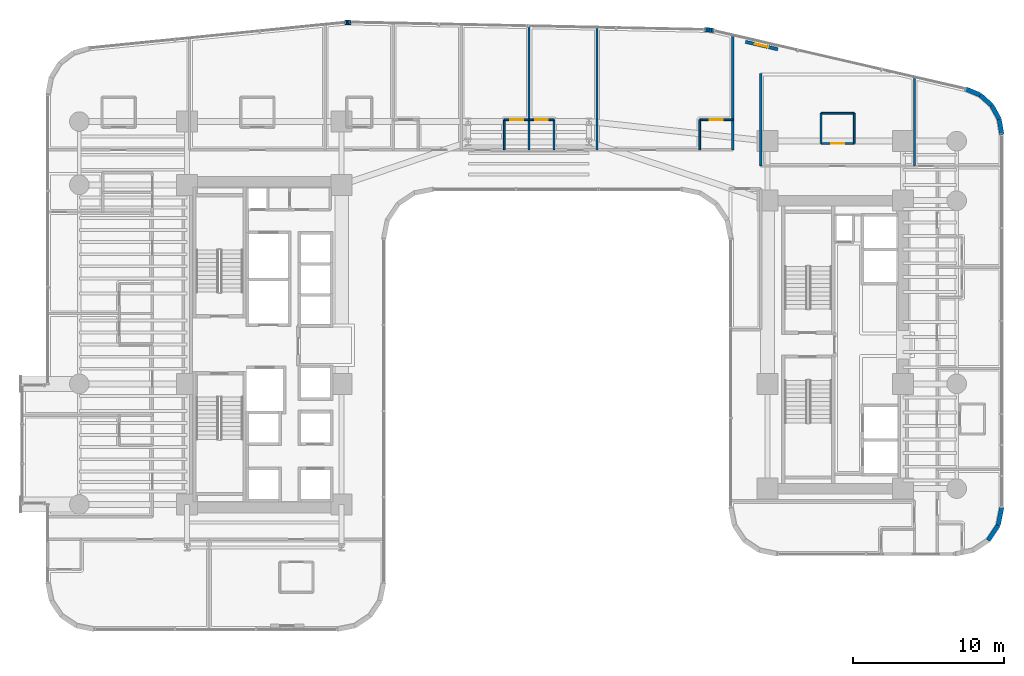
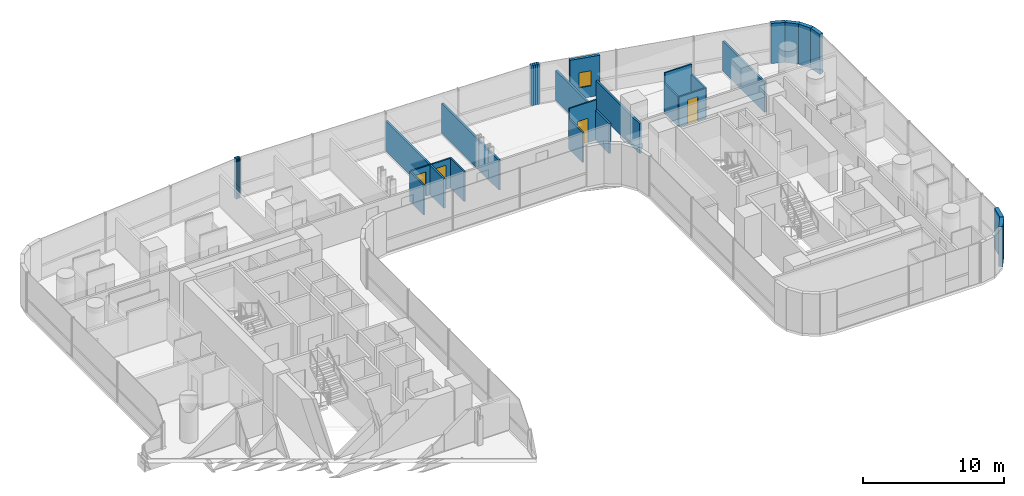
# One storey, part 35 of 42: 30 walls, 4 doors, 1 window, 5 openings.
"""IFC4 building model written with IfcOpenShell, lengths in metres."""

from ifc_helpers import new_model, si_unit, direction, frame, frame_2d, origin, place, context, subcontext, project, spatial, rectangle, extrude, material, layer, layer_set, type_object, element, fill, save


model = new_model("IFC4")

# Units and contexts
model_context = context("Model", 3, precision=1e-05, world=origin(), true_north=direction((0.0, 1.0)))
body_context = subcontext(model_context, "Body", "Model", "MODEL_VIEW")
ifc_project = project(units=[si_unit("LENGTHUNIT", "METRE"), si_unit("AREAUNIT", "SQUARE_METRE"), si_unit("VOLUMEUNIT", "CUBIC_METRE"), si_unit("PLANEANGLEUNIT", "RADIAN"), si_unit("MASSUNIT", "GRAM", prefix="KILO")], contexts=[model_context])

# Site, building, storey
site_placement = place(None, origin())
site = spatial("IfcSite", under=ifc_project, at=site_placement, CompositionType="ELEMENT")
building_placement = place(site_placement, origin())
building = spatial("IfcBuilding", under=site, at=building_placement, Name="Valdorenza Pilgrim Sanctuary Tower", CompositionType="ELEMENT")
storey_placement = place(building_placement, frame((0.0, 0.0, 29.699951171875)))
storey = spatial("IfcBuildingStorey", under=building, at=storey_placement, Name="L06", CompositionType="ELEMENT", Elevation=29.699951171875)

# Walls
ifc_material_1 = material(Name="Acoustic twin-stud gypsum partition", Category="gypsum")
ifc_layer_1 = layer(ifc_material_1, 0.159912109375, Name="Acoustic twin-stud gypsum partition")
ifc_layer_set_1 = layer_set([ifc_layer_1], Name="Acoustic twin-stud gypsum partition")
wall_type_1 = type_object("IfcWallType", Name="WAL-COR-160", PredefinedType="PARTITIONING", material=ifc_layer_set_1)
wall_1_placement = place(storey_placement, frame((13.550048828125, 12.919921875, 0.0), z_axis=(0.0, 0.0, 1.0), x_axis=(0.0, 1.0, 0.0)))
element("IfcWall", 1, at=wall_1_placement, inside=storey, type_object=wall_type_1, Name="L06 North Band East Closure", PredefinedType="PARTITIONING", context=body_context, shape_type="SweptSolid", body=[
    extrude(rectangle(XDim=7.609375, YDim=0.159912109375, at=frame_2d((3.8046875, 0.0))), origin(), (0.0, 0.0, 1.0), 2.5830078125),
])
wall_2_placement = place(storey_placement, frame((15.39990234375, 11.85009765625, 0.0), z_axis=(0.0, 0.0, 1.0), x_axis=(0.0, 1.0, 0.0)))
element("IfcWall", 2, at=wall_2_placement, inside=storey, type_object=wall_type_1, Name="L06 Wing B North West Wall", PredefinedType="PARTITIONING", context=body_context, shape_type="SweptSolid", body=[
    extrude(rectangle(XDim=6.14990234375, YDim=0.159912109375, at=frame_2d((3.074951171875, 0.0))), origin(), (0.0, 0.0, 1.0), 2.5830078125),
])
wall_3_placement = place(storey_placement, frame((25.60009765625, 11.85009765625, 0.0), z_axis=(0.0, 0.0, 1.0), x_axis=(0.0, 1.0, 0.0)))
element("IfcWall", 3, at=wall_3_placement, inside=storey, type_object=wall_type_1, Name="L06 Wing B North East Wall", PredefinedType="PARTITIONING", context=body_context, shape_type="SweptSolid", body=[
    extrude(rectangle(XDim=5.8984375, YDim=0.159912109375, at=frame_2d((2.94921875, 0.0))), origin(), (0.0, 0.0, 1.0), 2.5830078125),
])
ifc_material_2 = material(Name="Honed travertine limestone", Category="masonry")
ifc_layer_2 = layer(ifc_material_2, 0.300048828125, Name="Honed travertine limestone")
ifc_layer_set_2 = layer_set([ifc_layer_2], Name="Honed travertine limestone")
wall_type_2 = type_object("IfcWallType", Name="WAL-EXT-300", PredefinedType="SOLIDWALL", material=ifc_layer_set_2)
wall_4_placement = place(storey_placement, frame((-12.181884765625, 21.371337890625, 0.0), z_axis=(0.0, 0.0, 1.0), x_axis=(0.996527790842, 0.08326080759, 0.0)))
element("IfcWall", 4, at=wall_4_placement, inside=storey, type_object=wall_type_2, Name="L06 Rounded Wind-Corner Stone Pier 7", PredefinedType="SOLIDWALL", context=body_context, shape_type="SweptSolid", body=[
    extrude(rectangle(XDim=0.09375, YDim=0.300048828125, at=frame_2d((0.046875, 0.0))), origin(), (0.0, 0.0, 1.0), 3.4599609375),
])
wall_5_placement = place(storey_placement, frame((-12.08837890625, 21.379150390625, 0.0), z_axis=(0.0, 0.0, 1.0), x_axis=(0.998476480444, 0.055178963393, 0.0)))
element("IfcWall", 5, at=wall_5_placement, inside=storey, type_object=wall_type_2, Name="L06 Rounded Wind-Corner Stone Pier 8", PredefinedType="SOLIDWALL", context=body_context, shape_type="SweptSolid", body=[
    extrude(rectangle(XDim=0.093017578125, YDim=0.300048828125, at=frame_2d((0.04638671875, 0.0))), origin(), (0.0, 0.0, 1.0), 3.4599609375),
])
wall_6_placement = place(storey_placement, frame((-11.99560546875, 21.38427734375, 0.0), z_axis=(0.0, 0.0, 1.0), x_axis=(0.999722573757, 0.023553673204, 0.0)))
element("IfcWall", 6, at=wall_6_placement, inside=storey, type_object=wall_type_2, Name="L06 Rounded Wind-Corner Stone Pier 9", PredefinedType="SOLIDWALL", context=body_context, shape_type="SweptSolid", body=[
    extrude(rectangle(XDim=0.09326171875, YDim=0.300048828125, at=frame_2d((0.046630859375, 0.0))), origin(), (0.0, 0.0, 1.0), 3.4599609375),
])
wall_7_placement = place(storey_placement, frame((-11.90234375, 21.386474609375, 0.0), z_axis=(0.0, 0.0, 1.0), x_axis=(0.999986507273, -0.005194735103, 0.0)))
element("IfcWall", 7, at=wall_7_placement, inside=storey, type_object=wall_type_2, Name="L06 Rounded Wind-Corner Stone Pier 10", PredefinedType="SOLIDWALL", context=body_context, shape_type="SweptSolid", body=[
    extrude(rectangle(XDim=0.093994140625, YDim=0.300048828125, at=frame_2d((0.046875, 0.0))), origin(), (0.0, 0.0, 1.0), 3.4599609375),
])
wall_8_placement = place(storey_placement, frame((11.665771484375, 20.89697265625, 0.0), z_axis=(0.0, 0.0, 1.0), x_axis=(0.998885297239, -0.047203421059, 0.0)))
element("IfcWall", 8, at=wall_8_placement, inside=storey, type_object=wall_type_2, Name="L06 Rounded Wind-Corner Stone Pier 12", PredefinedType="SOLIDWALL", context=body_context, shape_type="SweptSolid", body=[
    extrude(rectangle(XDim=0.160400390625, YDim=0.300048828125, at=frame_2d((0.080078125, 0.0))), origin(), (0.0, 0.0, 1.0), 3.4599609375),
])
wall_9_placement = place(storey_placement, frame((11.825927734375, 20.889404296875, 0.0), z_axis=(0.0, 0.0, 1.0), x_axis=(0.995172891136, -0.098137234257, 0.0)))
element("IfcWall", 9, at=wall_9_placement, inside=storey, type_object=wall_type_2, Name="L06 Rounded Wind-Corner Stone Pier 13", PredefinedType="SOLIDWALL", context=body_context, shape_type="SweptSolid", body=[
    extrude(rectangle(XDim=0.1591796875, YDim=0.300048828125, at=frame_2d((0.07958984375, 0.0))), origin(), (0.0, 0.0, 1.0), 3.4599609375),
])
wall_10_placement = place(storey_placement, frame((11.984375, 20.873779296875, 0.0), z_axis=(0.0, 0.0, 1.0), x_axis=(0.988846069207, -0.148941100486, 0.0)))
element("IfcWall", 10, at=wall_10_placement, inside=storey, type_object=wall_type_2, Name="L06 Rounded Wind-Corner Stone Pier 14", PredefinedType="SOLIDWALL", context=body_context, shape_type="SweptSolid", body=[
    extrude(rectangle(XDim=0.158935546875, YDim=0.300048828125, at=frame_2d((0.07958984375, 0.0))), origin(), (0.0, 0.0, 1.0), 3.4599609375),
])
wall_11_placement = place(storey_placement, frame((12.1416015625, 20.85009765625, 0.0), z_axis=(0.0, 0.0, 1.0), x_axis=(0.979991950448, -0.19903712482, 0.0)))
element("IfcWall", 11, at=wall_11_placement, inside=storey, type_object=wall_type_2, Name="L06 Rounded Wind-Corner Stone Pier 15", PredefinedType="SOLIDWALL", context=body_context, shape_type="SweptSolid", body=[
    extrude(rectangle(XDim=0.16064453125, YDim=0.300048828125, at=frame_2d((0.080322265625, 0.0))), origin(), (0.0, 0.0, 1.0), 3.4599609375),
])

# Wall, opening, window
wall_12_placement = place(storey_placement, frame((14.388671875, 20.089599609375, 0.0), z_axis=(0.0, 0.0, 1.0), x_axis=(0.974400545997, -0.224818984875, 0.0)))
wall_12 = element("IfcWall", 12, at=wall_12_placement, inside=storey, type_object=wall_type_2, Name="L06 Operable Ventilation Sash Jamb Pier", PredefinedType="SOLIDWALL", context=body_context, shape_type="SweptSolid", body=[
    extrude(rectangle(XDim=2.2001953125, YDim=0.219970703125, at=frame_2d((1.10009765625, 0.0))), origin(), (0.0, 0.0, 1.0), 3.4599609375),
])
opening_1_placement = place(wall_12_placement, frame((0.64990234375, 0.0, 0.949951171875)))
opening_1 = element("IfcOpeningElement", 13, at=opening_1_placement, cuts=wall_12, Name="Opening WN-OP1", PredefinedType="OPENING", context=body_context, shape_type="SweptSolid", body=[
    extrude(rectangle(XDim=0.89990234375, YDim=1.300048828125, at=frame_2d((0.449951171875, 0.64990234375))), frame((0.0, 0.125, 0.0), z_axis=(0.0, -1.0, 0.0), x_axis=(1.0, 0.0, 0.0)), (0.0, 0.0, 1.0), 0.249755859375),
])
ifc_material_3 = material(Name="Ceramic-fritted low-E IGU glazing", Category="glass")
window_type = type_object("IfcWindowType", Name="WIN-OPN-900", PartitioningType="SINGLE_PANEL", PredefinedType="WINDOW", material=ifc_material_3)
window_placement = place(opening_1_placement, origin())
window = element("IfcWindow", 14, at=window_placement, inside=storey, type_object=window_type, Name="L06 Parallel-Pop-Out Operable Facade Panel", OverallHeight=1.300048828125, OverallWidth=0.89990234375, PartitioningType="SINGLE_PANEL", PredefinedType="WINDOW", context=body_context, shape_type="SweptSolid", body=[
    extrude(rectangle(XDim=0.89990234375, YDim=1.300048828125, at=frame_2d((0.449951171875, 0.64990234375))), frame((0.0, 0.030029296875, 0.0), z_axis=(0.0, -1.0, 0.0), x_axis=(1.0, 0.0, 0.0)), (0.0, 0.0, 1.0), 0.06005859375),
])
fill(opening_1, window)

# Walls
wall_13_placement = place(storey_placement, frame((28.98583984375, 16.96728515625, 0.0), z_axis=(0.0, 0.0, 1.0), x_axis=(0.923083852684, -0.384598753136, 0.0)))
element("IfcWall", 15, at=wall_13_placement, inside=storey, type_object=wall_type_2, Name="L06 Rounded Wind-Corner Stone Pier 17", PredefinedType="SOLIDWALL", context=body_context, shape_type="SweptSolid", body=[
    extrude(rectangle(XDim=1.042236328125, YDim=0.300048828125, at=frame_2d((0.52099609375, 0.0))), origin(), (0.0, 0.0, 1.0), 3.4599609375),
])
wall_14_placement = place(storey_placement, frame((29.947998046875, 16.56640625, 0.0), z_axis=(0.0, 0.0, 1.0), x_axis=(0.744585645533, -0.66752694063, 0.0)))
element("IfcWall", 16, at=wall_14_placement, inside=storey, type_object=wall_type_2, Name="L06 Rounded Wind-Corner Stone Pier 18", PredefinedType="SOLIDWALL", context=body_context, shape_type="SweptSolid", body=[
    extrude(rectangle(XDim=1.032958984375, YDim=0.300048828125, at=frame_2d((0.5166015625, 0.0))), origin(), (0.0, 0.0, 1.0), 3.4599609375),
])
wall_15_placement = place(storey_placement, frame((30.717041015625, 15.876953125, 0.0), z_axis=(0.0, 0.0, 1.0), x_axis=(0.482971098131, -0.875636293429, 0.0)))
element("IfcWall", 17, at=wall_15_placement, inside=storey, type_object=wall_type_2, Name="L06 Rounded Wind-Corner Stone Pier 19", PredefinedType="SOLIDWALL", context=body_context, shape_type="SweptSolid", body=[
    extrude(rectangle(XDim=1.03271484375, YDim=0.300048828125, at=frame_2d((0.516357421875, 0.0))), origin(), (0.0, 0.0, 1.0), 3.4599609375),
])
wall_16_placement = place(storey_placement, frame((31.2158203125, 14.97265625, 0.0), z_axis=(0.0, 0.0, 1.0), x_axis=(0.167019462117, -0.985953598946, 0.0)))
element("IfcWall", 18, at=wall_16_placement, inside=storey, type_object=wall_type_2, Name="L06 Rounded Wind-Corner Stone Pier 20", PredefinedType="SOLIDWALL", context=body_context, shape_type="SweptSolid", body=[
    extrude(rectangle(XDim=1.042236328125, YDim=0.300048828125, at=frame_2d((0.52099609375, 0.0))), origin(), (0.0, 0.0, 1.0), 3.4599609375),
])
wall_17_placement = place(storey_placement, frame((31.389892578125, -10.789306640625, 0.0), z_axis=(0.0, 0.0, 1.0), x_axis=(-0.194996050505, -0.980804027463, 0.0)))
element("IfcWall", 19, at=wall_17_placement, inside=storey, type_object=wall_type_2, Name="L06 Rounded Wind-Corner Stone Pier 22", PredefinedType="SOLIDWALL", context=body_context, shape_type="SweptSolid", body=[
    extrude(rectangle(XDim=1.2158203125, YDim=0.300048828125, at=frame_2d((0.60791015625, 0.0))), origin(), (0.0, 0.0, 1.0), 3.4599609375),
])
wall_18_placement = place(storey_placement, frame((31.15283203125, -11.981689453125, 0.0), z_axis=(0.0, 0.0, 1.0), x_axis=(-0.555635100982, -0.831426265255, 0.0)))
element("IfcWall", 20, at=wall_18_placement, inside=storey, type_object=wall_type_2, Name="L06 Rounded Wind-Corner Stone Pier 23", PredefinedType="SOLIDWALL", context=body_context, shape_type="SweptSolid", body=[
    extrude(rectangle(XDim=1.204833984375, YDim=0.300048828125, at=frame_2d((0.6025390625, 0.0))), origin(), (0.0, 0.0, 1.0), 3.4599609375),
])
ifc_material_4 = material(Name="Moisture-resistant gypsum partition", Category="gypsum")
ifc_layer_3 = layer(ifc_material_4, 0.1201171875, Name="Moisture-resistant gypsum partition")
ifc_layer_set_3 = layer_set([ifc_layer_3], Name="Moisture-resistant gypsum partition")
wall_type_3 = type_object("IfcWallType", Name="WAL-INT-120", PredefinedType="PARTITIONING", material=ifc_layer_set_3)
wall_19_placement = place(storey_placement, frame((-1.614990234375, 12.919921875, 0.0), z_axis=(0.0, 0.0, 1.0), x_axis=(0.0, 1.0, 0.0)))
element("IfcWall", 21, at=wall_19_placement, inside=storey, type_object=wall_type_3, Name="L06 North Guest Room L06-N4A En-suite West Wall", PredefinedType="PARTITIONING", context=body_context, shape_type="SweptSolid", body=[
    extrude(rectangle(XDim=2.0, YDim=0.1201171875, at=frame_2d((1.0, 0.0))), origin(), (0.0, 0.0, 1.0), 2.5830078125),
])

# Wall, opening, door
wall_20_placement = place(storey_placement, frame((-1.614990234375, 14.919921875, 0.0), z_axis=(0.0, 0.0, 1.0), x_axis=(1.0, 0.0, 0.0)))
wall_20 = element("IfcWall", 22, at=wall_20_placement, inside=storey, type_object=wall_type_3, Name="L06 North Guest Room L06-N4A En-suite Door Wall", PredefinedType="PARTITIONING", context=body_context, shape_type="SweptSolid", body=[
    extrude(rectangle(XDim=1.64990234375, YDim=0.1201171875, at=frame_2d((0.824951171875, 0.0))), origin(), (0.0, 0.0, 1.0), 2.5830078125),
])
opening_2_placement = place(wall_20_placement, frame((0.39990234375, 0.0, 0.0)))
opening_2 = element("IfcOpeningElement", 23, at=opening_2_placement, cuts=wall_20, Name="Opening DR-WC1", PredefinedType="OPENING", context=body_context, shape_type="SweptSolid", body=[
    extrude(rectangle(XDim=0.85009765625, YDim=2.10009765625, at=frame_2d((0.425048828125, 1.050048828125))), frame((0.0, 0.074951171875, 0.0), z_axis=(0.0, -1.0, 0.0), x_axis=(1.0, 0.0, 0.0)), (0.0, 0.0, 1.0), 0.14990234375),
])
ifc_material_5 = material(Name="Moisture-resistant lacquered timber", Category="wood")
door_type = type_object("IfcDoorType", Name="DR-BATH-850", OperationType="NOTDEFINED", PredefinedType="DOOR", material=ifc_material_5)
door_1_placement = place(opening_2_placement, origin())
door_1 = element("IfcDoor", 24, at=door_1_placement, inside=storey, type_object=door_type, Name="L06 North Guest Room L06-N4A En-suite Bathroom Door", OperationType="SINGLE_SWING_RIGHT", OverallHeight=2.10009765625, OverallWidth=0.85009765625, PredefinedType="DOOR", context=body_context, shape_type="SweptSolid", body=[
    extrude(rectangle(XDim=0.85009765625, YDim=2.10009765625, at=frame_2d((0.425048828125, 1.050048828125))), frame((0.0, 0.02490234375, 0.0), z_axis=(0.0, -1.0, 0.0), x_axis=(1.0, 0.0, 0.0)), (0.0, 0.0, 1.0), 0.050048828125),
])
fill(opening_2, door_1)

# Wall
wall_21_placement = place(storey_placement, frame((1.68505859375, 12.919921875, 0.0), z_axis=(0.0, 0.0, 1.0), x_axis=(0.0, 1.0, 0.0)))
element("IfcWall", 25, at=wall_21_placement, inside=storey, type_object=wall_type_3, Name="L06 North Guest Room L06-N4B En-suite East Wall", PredefinedType="PARTITIONING", context=body_context, shape_type="SweptSolid", body=[
    extrude(rectangle(XDim=2.0, YDim=0.1201171875, at=frame_2d((1.0, 0.0))), origin(), (0.0, 0.0, 1.0), 2.5830078125),
])

# Wall, opening, door
wall_22_placement = place(storey_placement, frame((0.034912109375, 14.919921875, 0.0), z_axis=(0.0, 0.0, 1.0), x_axis=(1.0, 0.0, 0.0)))
wall_22 = element("IfcWall", 26, at=wall_22_placement, inside=storey, type_object=wall_type_3, Name="L06 North Guest Room L06-N4B En-suite Door Wall", PredefinedType="PARTITIONING", context=body_context, shape_type="SweptSolid", body=[
    extrude(rectangle(XDim=1.650146484375, YDim=0.1201171875, at=frame_2d((0.8251953125, 0.0))), origin(), (0.0, 0.0, 1.0), 2.5830078125),
])
opening_3_placement = place(wall_22_placement, frame((0.39990234375, 0.0, 0.0)))
opening_3 = element("IfcOpeningElement", 27, at=opening_3_placement, cuts=wall_22, Name="Opening DR-WC1", PredefinedType="OPENING", context=body_context, shape_type="SweptSolid", body=[
    extrude(rectangle(XDim=0.85009765625, YDim=2.10009765625, at=frame_2d((0.425048828125, 1.050048828125))), frame((0.0, 0.074951171875, 0.0), z_axis=(0.0, -1.0, 0.0), x_axis=(1.0, 0.0, 0.0)), (0.0, 0.0, 1.0), 0.14990234375),
])
door_2_placement = place(opening_3_placement, origin())
door_2 = element("IfcDoor", 28, at=door_2_placement, inside=storey, type_object=door_type, Name="L06 North Guest Room L06-N4B En-suite Bathroom Door", OperationType="SINGLE_SWING_RIGHT", OverallHeight=2.10009765625, OverallWidth=0.85009765625, PredefinedType="DOOR", context=body_context, shape_type="SweptSolid", body=[
    extrude(rectangle(XDim=0.85009765625, YDim=2.10009765625, at=frame_2d((0.425048828125, 1.050048828125))), frame((0.0, 0.02490234375, 0.0), z_axis=(0.0, -1.0, 0.0), x_axis=(1.0, 0.0, 0.0)), (0.0, 0.0, 1.0), 0.050048828125),
])
fill(opening_3, door_2)

# Wall
wall_23_placement = place(storey_placement, frame((11.35009765625, 12.919921875, 0.0), z_axis=(0.0, 0.0, 1.0), x_axis=(0.0, 1.0, 0.0)))
element("IfcWall", 29, at=wall_23_placement, inside=storey, type_object=wall_type_3, Name="L06 North Guest Room L06-N5 En-suite West Wall", PredefinedType="PARTITIONING", context=body_context, shape_type="SweptSolid", body=[
    extrude(rectangle(XDim=2.0, YDim=0.1201171875, at=frame_2d((1.0, 0.0))), origin(), (0.0, 0.0, 1.0), 2.5830078125),
])

# Wall, opening, door
wall_24_placement = place(storey_placement, frame((11.35009765625, 14.919921875, 0.0), z_axis=(0.0, 0.0, 1.0), x_axis=(1.0, 0.0, 0.0)))
wall_24 = element("IfcWall", 30, at=wall_24_placement, inside=storey, type_object=wall_type_3, Name="L06 North Guest Room L06-N5 En-suite Door Wall", PredefinedType="PARTITIONING", context=body_context, shape_type="SweptSolid", body=[
    extrude(rectangle(XDim=2.199951171875, YDim=0.1201171875, at=frame_2d((1.10009765625, 0.0))), origin(), (0.0, 0.0, 1.0), 3.4599609375),
])
opening_4_placement = place(wall_24_placement, frame((0.675048828125, 0.0, 0.0)))
opening_4 = element("IfcOpeningElement", 31, at=opening_4_placement, cuts=wall_24, Name="Opening DR-WC1", PredefinedType="OPENING", context=body_context, shape_type="SweptSolid", body=[
    extrude(rectangle(XDim=0.85009765625, YDim=2.10009765625, at=frame_2d((0.425048828125, 1.050048828125))), frame((0.0, 0.074951171875, 0.0), z_axis=(0.0, -1.0, 0.0), x_axis=(1.0, 0.0, 0.0)), (0.0, 0.0, 1.0), 0.14990234375),
])
door_3_placement = place(opening_4_placement, origin())
door_3 = element("IfcDoor", 32, at=door_3_placement, inside=storey, type_object=door_type, Name="L06 North Guest Room L06-N5 En-suite Bathroom Door", OperationType="SINGLE_SWING_RIGHT", OverallHeight=2.10009765625, OverallWidth=0.85009765625, PredefinedType="DOOR", context=body_context, shape_type="SweptSolid", body=[
    extrude(rectangle(XDim=0.85009765625, YDim=2.10009765625, at=frame_2d((0.425048828125, 1.050048828125))), frame((0.0, 0.02490234375, 0.0), z_axis=(0.0, -1.0, 0.0), x_axis=(1.0, 0.0, 0.0)), (0.0, 0.0, 1.0), 0.050048828125),
])
fill(opening_4, door_3)

# Walls
for number, where, z_axis, x_axis, name in (
    (33, (19.39990234375, 13.35009765625, 0.0), (0.0, 0.0, 1.0), (0.0, 1.0, 0.0), "L06 East North Guest Room L06-EN1 En-suite West Wall"),
    (34, (21.60009765625, 13.35009765625, 0.0), (0.0, 0.0, 1.0), (0.0, 1.0, 0.0), "L06 East North Guest Room L06-EN1 En-suite East Wall"),
):
    element("IfcWall", number, at=place(storey_placement, frame(where, z_axis=z_axis, x_axis=x_axis)), inside=storey, type_object=wall_type_3, Name=name, PredefinedType="PARTITIONING", context=body_context, shape_type="SweptSolid", body=[
        extrude(rectangle(XDim=2.0, YDim=0.1201171875, at=frame_2d((1.0, 0.0))), origin(), (0.0, 0.0, 1.0), 2.5830078125),
    ])
wall_25_placement = place(storey_placement, frame((19.39990234375, 15.35009765625, 0.0), z_axis=(0.0, 0.0, 1.0), x_axis=(1.0, 0.0, 0.0)))
element("IfcWall", 35, at=wall_25_placement, inside=storey, type_object=wall_type_3, Name="L06 East North Guest Room L06-EN1 En-suite Back Wall", PredefinedType="PARTITIONING", context=body_context, shape_type="SweptSolid", body=[
    extrude(rectangle(XDim=2.2001953125, YDim=0.1201171875, at=frame_2d((1.10009765625, 0.0))), origin(), (0.0, 0.0, 1.0), 3.4599609375),
])

# Wall, opening, door
wall_26_placement = place(storey_placement, frame((19.39990234375, 13.35009765625, 0.0), z_axis=(0.0, 0.0, 1.0), x_axis=(1.0, 0.0, 0.0)))
wall_26 = element("IfcWall", 36, at=wall_26_placement, inside=storey, type_object=wall_type_3, Name="L06 East North Guest Room L06-EN1 En-suite Door Wall", PredefinedType="PARTITIONING", context=body_context, shape_type="SweptSolid", body=[
    extrude(rectangle(XDim=2.2001953125, YDim=0.1201171875, at=frame_2d((1.10009765625, 0.0))), origin(), (0.0, 0.0, 1.0), 2.5830078125),
])
opening_5_placement = place(wall_26_placement, frame((0.675048828125, 0.0, 0.0)))
opening_5 = element("IfcOpeningElement", 37, at=opening_5_placement, cuts=wall_26, Name="Opening DR-WC1", PredefinedType="OPENING", context=body_context, shape_type="SweptSolid", body=[
    extrude(rectangle(XDim=0.85009765625, YDim=2.10009765625, at=frame_2d((0.425048828125, 1.050048828125))), frame((0.0, 0.074951171875, 0.0), z_axis=(0.0, -1.0, 0.0), x_axis=(1.0, 0.0, 0.0)), (0.0, 0.0, 1.0), 0.14990234375),
])
door_4_placement = place(opening_5_placement, origin())
door_4 = element("IfcDoor", 38, at=door_4_placement, inside=storey, type_object=door_type, Name="L06 East North Guest Room L06-EN1 En-suite Bathroom Door", OperationType="SINGLE_SWING_RIGHT", OverallHeight=2.10009765625, OverallWidth=0.85009765625, PredefinedType="DOOR", context=body_context, shape_type="SweptSolid", body=[
    extrude(rectangle(XDim=0.85009765625, YDim=2.10009765625, at=frame_2d((0.425048828125, 1.050048828125))), frame((0.0, 0.02490234375, 0.0), z_axis=(0.0, -1.0, 0.0), x_axis=(1.0, 0.0, 0.0)), (0.0, 0.0, 1.0), 0.050048828125),
])
fill(opening_5, door_4)

# Walls
ifc_layer_4 = layer(ifc_material_1, 0.14990234375, Name="Acoustic twin-stud gypsum partition")
ifc_layer_set_4 = layer_set([ifc_layer_4], Name="Acoustic twin-stud gypsum partition")
wall_type_4 = type_object("IfcWallType", Name="WAL-UNT-150", PredefinedType="PARTITIONING", material=ifc_layer_set_4)
wall_27_placement = place(storey_placement, frame((4.5400390625, 12.919921875, 0.0), z_axis=(0.0, 0.0, 1.0), x_axis=(0.0, 1.0, 0.0)))
element("IfcWall", 39, at=wall_27_placement, inside=storey, type_object=wall_type_4, Name="L06 North Demising 4", PredefinedType="PARTITIONING", context=body_context, shape_type="SweptSolid", body=[
    extrude(rectangle(XDim=8.12548828125, YDim=0.14990234375, at=frame_2d((4.062744140625, 0.0))), origin(), (0.0, 0.0, 1.0), 2.5830078125),
])
wall_28_placement = place(storey_placement, frame((0.034912109375, 12.919921875, 0.0), z_axis=(0.0, 0.0, 1.0), x_axis=(0.0, 1.0, 0.0)))
element("IfcWall", 40, at=wall_28_placement, inside=storey, type_object=wall_type_4, Name="L06 North Guest Room L06-N4 Split Wall", PredefinedType="PARTITIONING", context=body_context, shape_type="SweptSolid", body=[
    extrude(rectangle(XDim=8.219482421875, YDim=0.14990234375, at=frame_2d((4.10986328125, 0.0))), origin(), (0.0, 0.0, 1.0), 2.5830078125),
])

save(model, "model.ifc")
